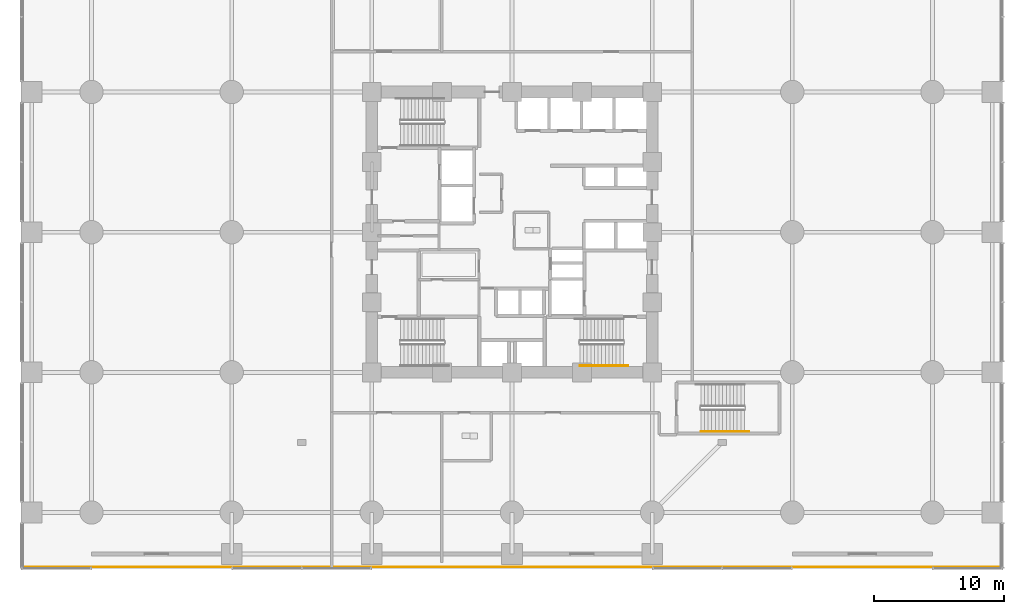
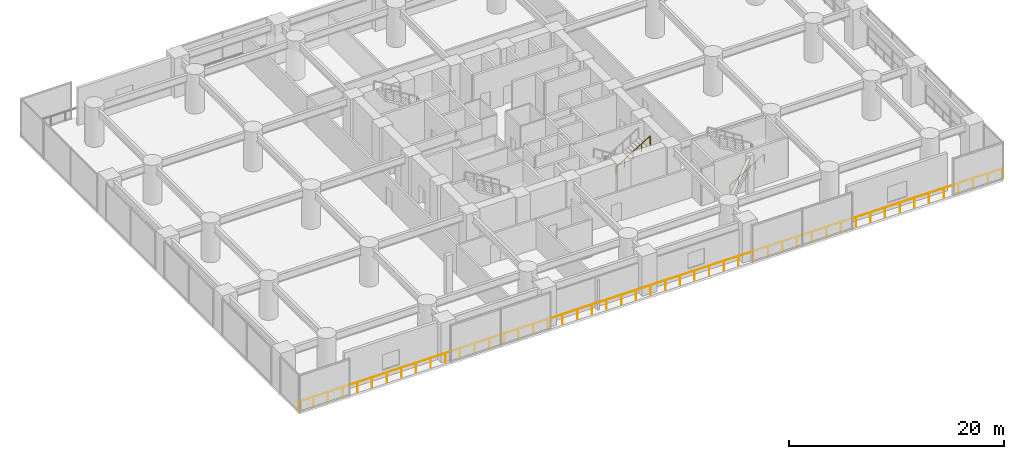
# One storey, part 32 of 36: 3 railings.
"""IFC4 building model written with IfcOpenShell, lengths in metres."""

from ifc_helpers import new_model, si_unit, direction, frame, origin, origin_2d, place, context, subcontext, project, spatial, circle, extrude, material, type_object, element, save


model = new_model("IFC4")

# Units and contexts
model_context = context("Model", 3, precision=1e-05, world=origin(), true_north=direction((0.0, 1.0)))
body_context = subcontext(model_context, "Body", "Model", "MODEL_VIEW")
ifc_project = project(units=[si_unit("LENGTHUNIT", "METRE"), si_unit("AREAUNIT", "SQUARE_METRE"), si_unit("VOLUMEUNIT", "CUBIC_METRE"), si_unit("PLANEANGLEUNIT", "RADIAN"), si_unit("MASSUNIT", "GRAM", prefix="KILO")], contexts=[model_context])

# Site, building, storey
site_placement = place(None, origin())
site = spatial("IfcSite", under=ifc_project, at=site_placement, CompositionType="ELEMENT")
building_placement = place(site_placement, origin())
building = spatial("IfcBuilding", under=site, at=building_placement, Name="Surkhivell Harbour Commons", CompositionType="ELEMENT")
storey_placement = place(building_placement, frame((0.0, 0.0, 9.0)))
storey = spatial("IfcBuildingStorey", under=building, at=storey_placement, Name="L02", CompositionType="ELEMENT", Elevation=9.0)

# Railings
ifc_material_1 = material(Name="Laminated safety glass and stainless steel S355 balustrade", Category="steel")
railing_type_1 = type_object("IfcRailingType", Name="RAL-BAL-1150", PredefinedType="BALUSTRADE", material=ifc_material_1)
railing_1_placement = place(storey_placement, frame((-37.800048828125, -25.800048828125, 0.0)))
element("IfcRailing", 1, at=railing_1_placement, inside=storey, type_object=railing_type_1, Name="L02 Perimeter Safety Guard 01", PredefinedType="BALUSTRADE", context=body_context, shape_type="SweptSolid", body=[
    extrude(circle(Radius=0.02392578125, at=origin_2d()), frame((0.0, 0.0, 1.1259765625), z_axis=(1.0, 0.0, 0.0), x_axis=(0.0, 1.0, 0.0)), (0.0, 0.0, 1.0), 75.60009765625),
    extrude(circle(Radius=0.02099609375, at=origin_2d()), origin(), (0.0, 0.0, 1.0), 1.101806640625),
    extrude(circle(Radius=0.02099609375, at=origin_2d()), frame((1.574951171875, 0.0, 0.0)), (0.0, 0.0, 1.0), 1.101806640625),
    extrude(circle(Radius=0.02099609375, at=origin_2d()), frame((3.14990234375, 0.0, 0.0)), (0.0, 0.0, 1.0), 1.101806640625),
    extrude(circle(Radius=0.02099609375, at=origin_2d()), frame((4.72509765625, 0.0, 0.0)), (0.0, 0.0, 1.0), 1.101806640625),
    extrude(circle(Radius=0.02099609375, at=origin_2d()), frame((6.300048828125, 0.0, 0.0)), (0.0, 0.0, 1.0), 1.101806640625),
    extrude(circle(Radius=0.02099609375, at=origin_2d()), frame((7.875, 0.0, 0.0)), (0.0, 0.0, 1.0), 1.101806640625),
    extrude(circle(Radius=0.02099609375, at=origin_2d()), frame((9.449951171875, 0.0, 0.0)), (0.0, 0.0, 1.0), 1.101806640625),
    extrude(circle(Radius=0.02099609375, at=origin_2d()), frame((11.02490234375, 0.0, 0.0)), (0.0, 0.0, 1.0), 1.101806640625),
    extrude(circle(Radius=0.02099609375, at=origin_2d()), frame((12.60009765625, 0.0, 0.0)), (0.0, 0.0, 1.0), 1.101806640625),
    extrude(circle(Radius=0.02099609375, at=origin_2d()), frame((14.175048828125, 0.0, 0.0)), (0.0, 0.0, 1.0), 1.101806640625),
    extrude(circle(Radius=0.02099609375, at=origin_2d()), frame((15.75, 0.0, 0.0)), (0.0, 0.0, 1.0), 1.101806640625),
    extrude(circle(Radius=0.02099609375, at=origin_2d()), frame((17.324951171875, 0.0, 0.0)), (0.0, 0.0, 1.0), 1.101806640625),
    extrude(circle(Radius=0.02099609375, at=origin_2d()), frame((18.89990234375, 0.0, 0.0)), (0.0, 0.0, 1.0), 1.101806640625),
    extrude(circle(Radius=0.02099609375, at=origin_2d()), frame((20.47509765625, 0.0, 0.0)), (0.0, 0.0, 1.0), 1.101806640625),
    extrude(circle(Radius=0.02099609375, at=origin_2d()), frame((22.050048828125, 0.0, 0.0)), (0.0, 0.0, 1.0), 1.101806640625),
    extrude(circle(Radius=0.02099609375, at=origin_2d()), frame((23.625, 0.0, 0.0)), (0.0, 0.0, 1.0), 1.101806640625),
    extrude(circle(Radius=0.02099609375, at=origin_2d()), frame((25.199951171875, 0.0, 0.0)), (0.0, 0.0, 1.0), 1.101806640625),
    extrude(circle(Radius=0.02099609375, at=origin_2d()), frame((26.775146484375, 0.0, 0.0)), (0.0, 0.0, 1.0), 1.101806640625),
    extrude(circle(Radius=0.02099609375, at=origin_2d()), frame((28.35009765625, 0.0, 0.0)), (0.0, 0.0, 1.0), 1.101806640625),
    extrude(circle(Radius=0.02099609375, at=origin_2d()), frame((29.925048828125, 0.0, 0.0)), (0.0, 0.0, 1.0), 1.101806640625),
    extrude(circle(Radius=0.02099609375, at=origin_2d()), frame((31.5, 0.0, 0.0)), (0.0, 0.0, 1.0), 1.101806640625),
    extrude(circle(Radius=0.02099609375, at=origin_2d()), frame((33.074951171875, 0.0, 0.0)), (0.0, 0.0, 1.0), 1.101806640625),
    extrude(circle(Radius=0.02099609375, at=origin_2d()), frame((34.650146484375, 0.0, 0.0)), (0.0, 0.0, 1.0), 1.101806640625),
    extrude(circle(Radius=0.02099609375, at=origin_2d()), frame((36.22509765625, 0.0, 0.0)), (0.0, 0.0, 1.0), 1.101806640625),
    extrude(circle(Radius=0.02099609375, at=origin_2d()), frame((37.800048828125, 0.0, 0.0)), (0.0, 0.0, 1.0), 1.101806640625),
    extrude(circle(Radius=0.02099609375, at=origin_2d()), frame((39.375, 0.0, 0.0)), (0.0, 0.0, 1.0), 1.101806640625),
    extrude(circle(Radius=0.02099609375, at=origin_2d()), frame((40.949951171875, 0.0, 0.0)), (0.0, 0.0, 1.0), 1.101806640625),
    extrude(circle(Radius=0.02099609375, at=origin_2d()), frame((42.525146484375, 0.0, 0.0)), (0.0, 0.0, 1.0), 1.101806640625),
    extrude(circle(Radius=0.02099609375, at=origin_2d()), frame((44.10009765625, 0.0, 0.0)), (0.0, 0.0, 1.0), 1.101806640625),
    extrude(circle(Radius=0.02099609375, at=origin_2d()), frame((45.675048828125, 0.0, 0.0)), (0.0, 0.0, 1.0), 1.101806640625),
    extrude(circle(Radius=0.02099609375, at=origin_2d()), frame((47.25, 0.0, 0.0)), (0.0, 0.0, 1.0), 1.101806640625),
    extrude(circle(Radius=0.02099609375, at=origin_2d()), frame((48.824951171875, 0.0, 0.0)), (0.0, 0.0, 1.0), 1.101806640625),
    extrude(circle(Radius=0.02099609375, at=origin_2d()), frame((50.400146484375, 0.0, 0.0)), (0.0, 0.0, 1.0), 1.101806640625),
    extrude(circle(Radius=0.02099609375, at=origin_2d()), frame((51.97509765625, 0.0, 0.0)), (0.0, 0.0, 1.0), 1.101806640625),
    extrude(circle(Radius=0.02099609375, at=origin_2d()), frame((53.550048828125, 0.0, 0.0)), (0.0, 0.0, 1.0), 1.101806640625),
    extrude(circle(Radius=0.02099609375, at=origin_2d()), frame((55.125, 0.0, 0.0)), (0.0, 0.0, 1.0), 1.101806640625),
    extrude(circle(Radius=0.02099609375, at=origin_2d()), frame((56.7001953125, 0.0, 0.0)), (0.0, 0.0, 1.0), 1.101806640625),
    extrude(circle(Radius=0.02099609375, at=origin_2d()), frame((58.275146484375, 0.0, 0.0)), (0.0, 0.0, 1.0), 1.101806640625),
    extrude(circle(Radius=0.02099609375, at=origin_2d()), frame((59.85009765625, 0.0, 0.0)), (0.0, 0.0, 1.0), 1.101806640625),
    extrude(circle(Radius=0.02099609375, at=origin_2d()), frame((61.425048828125, 0.0, 0.0)), (0.0, 0.0, 1.0), 1.101806640625),
    extrude(circle(Radius=0.02099609375, at=origin_2d()), frame((63.0, 0.0, 0.0)), (0.0, 0.0, 1.0), 1.101806640625),
    extrude(circle(Radius=0.02099609375, at=origin_2d()), frame((64.5751953125, 0.0, 0.0)), (0.0, 0.0, 1.0), 1.101806640625),
    extrude(circle(Radius=0.02099609375, at=origin_2d()), frame((66.150146484375, 0.0, 0.0)), (0.0, 0.0, 1.0), 1.101806640625),
    extrude(circle(Radius=0.02099609375, at=origin_2d()), frame((67.72509765625, 0.0, 0.0)), (0.0, 0.0, 1.0), 1.101806640625),
    extrude(circle(Radius=0.02099609375, at=origin_2d()), frame((69.300048828125, 0.0, 0.0)), (0.0, 0.0, 1.0), 1.101806640625),
    extrude(circle(Radius=0.02099609375, at=origin_2d()), frame((70.875, 0.0, 0.0)), (0.0, 0.0, 1.0), 1.101806640625),
    extrude(circle(Radius=0.02099609375, at=origin_2d()), frame((72.4501953125, 0.0, 0.0)), (0.0, 0.0, 1.0), 1.101806640625),
    extrude(circle(Radius=0.02099609375, at=origin_2d()), frame((74.025146484375, 0.0, 0.0)), (0.0, 0.0, 1.0), 1.101806640625),
    extrude(circle(Radius=0.02099609375, at=origin_2d()), frame((75.60009765625, 0.0, 0.0)), (0.0, 0.0, 1.0), 1.101806640625),
])
ifc_material_2 = material(Name="Brushed stainless steel S355 handrail", Category="steel")
railing_type_2 = type_object("IfcRailingType", Name="RAL-ST-HND900", PredefinedType="HANDRAIL", material=ifc_material_2)
railing_2_placement = place(storey_placement, frame((5.22998046875, -10.2900390625, 2.423095703125)))
element("IfcRailing", 2, at=railing_2_placement, inside=storey, type_object=railing_type_2, Name="L02 ST2 stair handrail 2", PredefinedType="HANDRAIL", context=body_context, shape_type="SweptSolid", body=[
    extrude(circle(Radius=0.02392578125, at=origin_2d()), frame((0.0, 0.0, 0.8759765625), z_axis=(0.850622404505, 0.0, 0.525777067734), x_axis=(0.0, 1.0, 0.0)), (0.0, 0.0, 1.0), 4.279296875),
    extrude(circle(Radius=0.02392578125, at=origin_2d()), frame((3.64013671875, 0.0, 3.1259765625), z_axis=(0.418814502111, 0.0, -0.908071810388), x_axis=(0.0, 1.0, 0.0)), (0.0, 0.0, 1.0), 0.190673828125),
    extrude(circle(Radius=0.02099609375, at=origin_2d()), origin(), (0.0, 0.0, 1.0), 0.851806640625),
    extrude(circle(Radius=0.02099609375, at=origin_2d()), frame((0.91015625, 0.0, 0.5625)), (0.0, 0.0, 1.0), 0.851806640625),
    extrude(circle(Radius=0.02099609375, at=origin_2d()), frame((1.820068359375, 0.0, 1.125)), (0.0, 0.0, 1.0), 0.851806640625),
    extrude(circle(Radius=0.02099609375, at=origin_2d()), frame((2.72998046875, 0.0, 1.6875)), (0.0, 0.0, 1.0), 0.851806640625),
    extrude(circle(Radius=0.02099609375, at=origin_2d()), frame((3.64013671875, 0.0, 2.25)), (0.0, 0.0, 1.0), 0.851806640625),
    extrude(circle(Radius=0.02099609375, at=origin_2d()), frame((3.719970703125, 0.0, 2.076904296875)), (0.0, 0.0, 1.0), 0.851806640625),
])
railing_3_placement = place(storey_placement, frame((14.550048828125, -15.35009765625, 0.173095703125)))
element("IfcRailing", 3, at=railing_3_placement, inside=storey, type_object=railing_type_2, Name="L02 ST4 stair handrail 1", PredefinedType="HANDRAIL", context=body_context, shape_type="SweptSolid", body=[
    extrude(circle(Radius=0.02392578125, at=origin_2d()), frame((0.0, 0.0, 0.8759765625), z_axis=(0.850606632239, 0.0, 0.525802583857), x_axis=(0.0, 1.0, 0.0)), (0.0, 0.0, 1.0), 4.279052734375),
    extrude(circle(Radius=0.02392578125, at=origin_2d()), frame((3.639892578125, 0.0, 3.1259765625), z_axis=(0.419869774861, 0.0, -0.907584360904), x_axis=(0.0, 1.0, 0.0)), (0.0, 0.0, 1.0), 0.190673828125),
    extrude(circle(Radius=0.02099609375, at=origin_2d()), origin(), (0.0, 0.0, 1.0), 0.851806640625),
    extrude(circle(Radius=0.02099609375, at=origin_2d()), frame((0.909912109375, 0.0, 0.5625)), (0.0, 0.0, 1.0), 0.851806640625),
    extrude(circle(Radius=0.02099609375, at=origin_2d()), frame((1.81982421875, 0.0, 1.125)), (0.0, 0.0, 1.0), 0.851806640625),
    extrude(circle(Radius=0.02099609375, at=origin_2d()), frame((2.72998046875, 0.0, 1.6875)), (0.0, 0.0, 1.0), 0.851806640625),
    extrude(circle(Radius=0.02099609375, at=origin_2d()), frame((3.639892578125, 0.0, 2.25)), (0.0, 0.0, 1.0), 0.851806640625),
    extrude(circle(Radius=0.02099609375, at=origin_2d()), frame((3.719970703125, 0.0, 2.076904296875)), (0.0, 0.0, 1.0), 0.851806640625),
])

save(model, "model.ifc")
